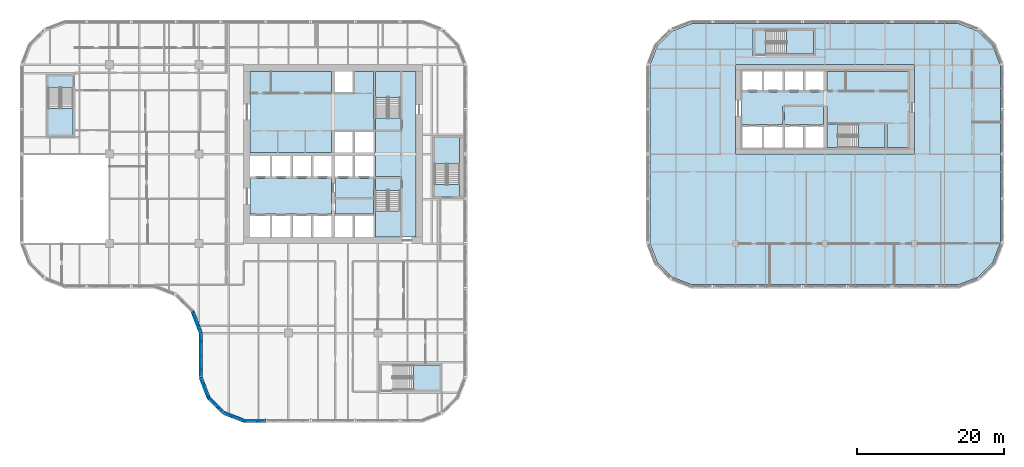
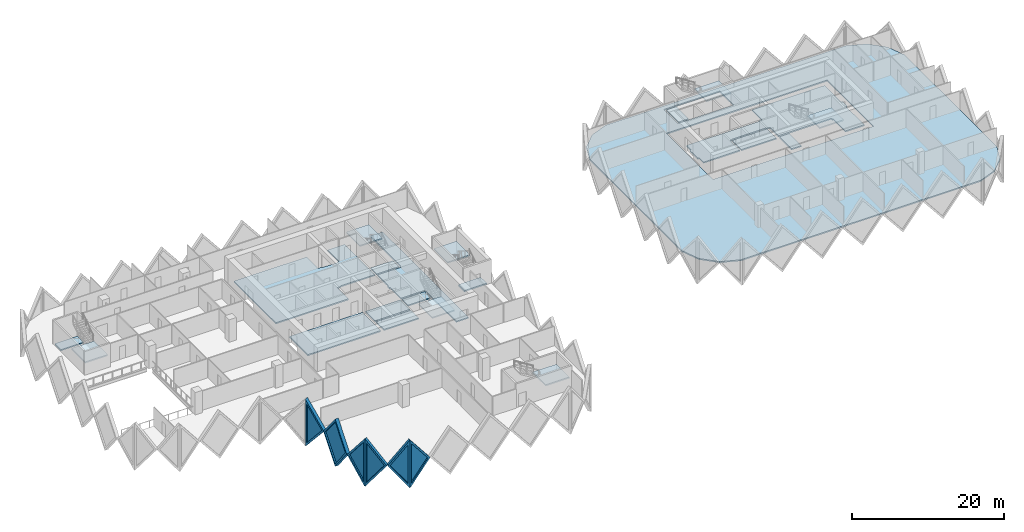
# One storey, part 3 of 18: 21 slabs, 6 plates, 6 walls, 6 openings, 7 elements without a shape of their own.
"""IFC4 building model written with IfcOpenShell, lengths in metres."""

from ifc_helpers import new_model, si_unit, direction, frame, origin, place, context, subcontext, project, spatial, polyline, outline, extrude, faceted_brep, source, transform, mapped, material, layer, layer_set, type_object, element, fill, aggregate, save


model = new_model("IFC4")

# Units and contexts
model_context = context("Model", 3, precision=1e-05, world=origin(), true_north=direction((0.0, 1.0)))
body_context = subcontext(model_context, "Body", "Model", "MODEL_VIEW")
ifc_project = project(units=[si_unit("LENGTHUNIT", "METRE"), si_unit("AREAUNIT", "SQUARE_METRE"), si_unit("VOLUMEUNIT", "CUBIC_METRE"), si_unit("PLANEANGLEUNIT", "RADIAN"), si_unit("MASSUNIT", "GRAM", prefix="KILO")], contexts=[model_context])

# Site, building, storey
site_placement = place(None, origin())
site = spatial("IfcSite", under=ifc_project, at=site_placement, CompositionType="ELEMENT")
building_placement = place(site_placement, origin())
building = spatial("IfcBuilding", under=site, at=building_placement, Name="Tessera Gate Towers", CompositionType="ELEMENT")
storey_placement = place(building_placement, frame((0.0, 0.0, 56.199951171875)))
storey = spatial("IfcBuildingStorey", under=building, at=storey_placement, Name="L13", CompositionType="ELEMENT", Elevation=56.199951171875)

# Slabs
ifc_material_1 = material(Name="Concrete C35/45", Category="concrete")
ifc_layer_1 = layer(ifc_material_1, 0.199951171875)
ifc_layer_set_1 = layer_set([ifc_layer_1], Name="COMPOSITE FLOOR 200")
slab_type_1 = type_object("IfcSlabType", Name="COMPOSITE FLOOR 200", PredefinedType="FLOOR", material=ifc_layer_set_1)
slab_1_placement = place(storey_placement, frame((0.0, 0.0, -0.199951171875)))
element("IfcSlab", 1, at=slab_1_placement, inside=storey, type_object=slab_type_1, Name="T2-L13", PredefinedType="FLOOR", context=body_context, shape_type="SweptSolid", body=[
    extrude(outline(polyline([(85.89990234375, 24.4931640625), (86.926025390625, 21.8330078125), (88.93310546875, 19.826171875), (91.593017578125, 18.800048828125), (128.0068359375, 18.800048828125), (130.6669921875, 19.826171875), (132.673828125, 21.8330078125), (133.699951171875, 24.4931640625), (133.699951171875, 48.706787109375), (132.673828125, 51.366943359375), (130.6669921875, 53.373779296875), (128.0068359375, 54.39990234375), (91.593017578125, 54.39990234375), (88.93310546875, 53.373779296875), (86.926025390625, 51.366943359375), (85.89990234375, 48.706787109375), (85.89990234375, 24.4931640625)]), holes=[polyline([(97.60009765625, 36.60009765625), (97.60009765625, 48.800048828125), (122.0, 48.800048828125), (122.0, 36.60009765625), (97.60009765625, 36.60009765625)]), polyline([(100.0, 50.0), (100.0, 53.699951171875), (108.5, 53.699951171875), (108.5, 50.0), (100.0, 50.0)])]), origin(), (0.0, 0.0, 1.0), 0.199951171875),
])
ifc_material_2 = material(Name="Concrete C35/45", Category="concrete")
ifc_layer_2 = layer(ifc_material_2, 0.199951171875)
ifc_layer_set_2 = layer_set([ifc_layer_2], Name="CORE FLOOR SLAB 200")
slab_type_2 = type_object("IfcSlabType", Name="CORE FLOOR SLAB 200", PredefinedType="FLOOR", material=ifc_layer_set_2)
slab_2_placement = place(storey_placement, frame((0.0, 0.0, -0.199951171875)))
element("IfcSlab", 2, at=slab_2_placement, inside=storey, type_object=slab_type_2, Name="L13 core floor slab", PredefinedType="FLOOR", context=body_context, shape_type="SweptSolid", body=[
    extrude(outline(polyline([(31.39990234375, 47.89990234375), (31.39990234375, 36.85009765625), (42.449951171875, 36.85009765625), (42.449951171875, 39.800048828125), (42.949951171875, 39.800048828125), (42.949951171875, 39.925048828125), (48.22509765625, 39.925048828125), (48.22509765625, 47.89990234375), (45.64990234375, 47.89990234375), (45.64990234375, 44.89990234375), (45.39990234375, 44.89990234375), (45.39990234375, 44.77490234375), (42.949951171875, 44.77490234375), (42.949951171875, 44.89990234375), (42.449951171875, 44.89990234375), (42.449951171875, 47.89990234375), (31.39990234375, 47.89990234375)])), origin(), (0.0, 0.0, 1.0), 0.199951171875),
])
slab_3_placement = place(storey_placement, frame((0.0, 0.0, -0.199951171875)))
element("IfcSlab", 3, at=slab_3_placement, inside=storey, type_object=slab_type_2, Name="L13 core floor slab", PredefinedType="FLOOR", context=body_context, shape_type="SweptSolid", body=[
    extrude(outline(polyline([(48.35009765625, 36.85009765625), (48.35009765625, 36.35009765625), (48.47509765625, 36.35009765625), (48.47509765625, 33.52490234375), (52.0, 33.52490234375), (52.0, 33.27490234375), (52.125, 33.27490234375), (52.125, 25.300048828125), (54.0, 25.300048828125), (54.0, 47.89990234375), (52.125, 47.89990234375), (52.125, 39.925048828125), (52.0, 39.925048828125), (52.0, 39.675048828125), (48.47509765625, 39.675048828125), (48.47509765625, 36.85009765625), (48.35009765625, 36.85009765625)])), origin(), (0.0, 0.0, 1.0), 0.199951171875),
])
slab_4_placement = place(storey_placement, frame((0.0, 0.0, -0.199951171875)))
element("IfcSlab", 4, at=slab_4_placement, inside=storey, type_object=slab_type_2, Name="L13 core floor slab", PredefinedType="FLOOR", context=body_context, shape_type="SweptSolid", body=[
    extrude(outline(polyline([(42.449951171875, 28.425048828125), (42.449951171875, 33.27490234375), (31.39990234375, 33.27490234375), (31.39990234375, 28.425048828125), (42.449951171875, 28.425048828125)])), origin(), (0.0, 0.0, 1.0), 0.199951171875),
])
slab_5_placement = place(storey_placement, frame((0.0, 0.0, -0.199951171875)))
element("IfcSlab", 5, at=slab_5_placement, inside=storey, type_object=slab_type_2, Name="L13 core floor slab", PredefinedType="FLOOR", context=body_context, shape_type="SweptSolid", body=[
    extrude(outline(polyline([(42.949951171875, 33.27490234375), (42.949951171875, 30.72509765625), (48.22509765625, 30.72509765625), (48.22509765625, 33.27490234375), (42.949951171875, 33.27490234375)])), origin(), (0.0, 0.0, 1.0), 0.199951171875),
])
slab_6_placement = place(storey_placement, frame((0.0, 0.0, -0.199951171875)))
element("IfcSlab", 6, at=slab_6_placement, inside=storey, type_object=slab_type_2, Name="L13 core floor slab", PredefinedType="FLOOR", context=body_context, shape_type="SweptSolid", body=[
    extrude(outline(polyline([(42.949951171875, 30.47509765625), (42.949951171875, 28.425048828125), (48.22509765625, 28.425048828125), (48.22509765625, 30.47509765625), (42.949951171875, 30.47509765625)])), origin(), (0.0, 0.0, 1.0), 0.199951171875),
])
slab_7_placement = place(storey_placement, frame((0.0, 0.0, -0.199951171875)))
element("IfcSlab", 7, at=slab_7_placement, inside=storey, type_object=slab_type_2, Name="L13 core floor slab", PredefinedType="FLOOR", context=body_context, shape_type="SweptSolid", body=[
    extrude(outline(polyline([(51.875, 31.675048828125), (51.875, 33.27490234375), (48.47509765625, 33.27490234375), (48.47509765625, 31.675048828125), (51.875, 31.675048828125)])), origin(), (0.0, 0.0, 1.0), 0.199951171875),
])
slab_8_placement = place(storey_placement, frame((0.0, 0.0, -0.199951171875)))
element("IfcSlab", 8, at=slab_8_placement, inside=storey, type_object=slab_type_2, Name="L13 core floor slab", PredefinedType="FLOOR", context=body_context, shape_type="SweptSolid", body=[
    extrude(outline(polyline([(48.47509765625, 41.52490234375), (48.47509765625, 39.925048828125), (51.875, 39.925048828125), (51.875, 41.52490234375), (48.47509765625, 41.52490234375)])), origin(), (0.0, 0.0, 1.0), 0.199951171875),
])
slab_9_placement = place(storey_placement, frame((0.0, 0.0, -0.199951171875)))
element("IfcSlab", 9, at=slab_9_placement, inside=storey, type_object=slab_type_2, Name="L13 ST3 floor landing", PredefinedType="FLOOR", context=body_context, shape_type="SweptSolid", body=[
    extrude(outline(polyline([(3.85009765625, 47.25), (3.85009765625, 45.64990234375), (7.25, 45.64990234375), (7.25, 47.25), (3.85009765625, 47.25)])), origin(), (0.0, 0.0, 1.0), 0.199951171875),
])
slab_10_placement = place(storey_placement, frame((0.0, 0.0, -0.199951171875)))
element("IfcSlab", 10, at=slab_10_placement, inside=storey, type_object=slab_type_2, Name="L13 ST5 floor landing", PredefinedType="FLOOR", context=body_context, shape_type="SweptSolid", body=[
    extrude(outline(polyline([(59.949951171875, 30.85009765625), (59.949951171875, 32.449951171875), (56.550048828125, 32.449951171875), (56.550048828125, 30.85009765625), (59.949951171875, 30.85009765625)])), origin(), (0.0, 0.0, 1.0), 0.199951171875),
])
slab_11_placement = place(storey_placement, frame((0.0, 0.0, -0.199951171875)))
element("IfcSlab", 11, at=slab_11_placement, inside=storey, type_object=slab_type_2, Name="L13 core floor slab", PredefinedType="FLOOR", context=body_context, shape_type="SweptSolid", body=[
    extrude(outline(polyline([(109.550048828125, 45.199951171875), (109.550048828125, 45.074951171875), (98.5, 45.074951171875), (98.5, 43.89990234375), (98.300048828125, 43.89990234375), (98.300048828125, 41.800048828125), (98.5, 41.800048828125), (98.5, 40.625), (104.02490234375, 40.625), (104.02490234375, 43.199951171875), (104.27490234375, 43.199951171875), (104.27490234375, 43.324951171875), (109.550048828125, 43.324951171875), (109.550048828125, 43.199951171875), (110.050048828125, 43.199951171875), (110.050048828125, 40.949951171875), (118.10009765625, 40.949951171875), (118.10009765625, 40.699951171875), (118.22509765625, 40.699951171875), (118.22509765625, 37.5), (121.10009765625, 37.5), (121.10009765625, 42.35009765625), (121.300048828125, 42.35009765625), (121.300048828125, 43.550048828125), (121.10009765625, 43.550048828125), (121.10009765625, 47.89990234375), (110.050048828125, 47.89990234375), (110.050048828125, 45.199951171875), (109.550048828125, 45.199951171875)])), origin(), (0.0, 0.0, 1.0), 0.199951171875),
])
slab_12_placement = place(storey_placement, frame((0.0, 0.0, -0.199951171875)))
element("IfcSlab", 12, at=slab_12_placement, inside=storey, type_object=slab_type_2, Name="L13 core floor slab", PredefinedType="FLOOR", context=body_context, shape_type="SweptSolid", body=[
    extrude(outline(polyline([(109.550048828125, 43.074951171875), (104.27490234375, 43.074951171875), (104.27490234375, 40.625), (109.550048828125, 40.625), (109.550048828125, 43.074951171875)])), origin(), (0.0, 0.0, 1.0), 0.199951171875),
])
slab_13_placement = place(storey_placement, frame((0.0, 0.0, -0.199951171875)))
element("IfcSlab", 13, at=slab_13_placement, inside=storey, type_object=slab_type_2, Name="L13 core floor slab", PredefinedType="FLOOR", context=body_context, shape_type="SweptSolid", body=[
    extrude(outline(polyline([(111.550048828125, 37.5), (111.550048828125, 40.699951171875), (110.050048828125, 40.699951171875), (110.050048828125, 37.5), (111.550048828125, 37.5)])), origin(), (0.0, 0.0, 1.0), 0.199951171875),
])
slab_14_placement = place(storey_placement, frame((0.0, 0.0, -0.199951171875)))
element("IfcSlab", 14, at=slab_14_placement, inside=storey, type_object=slab_type_2, Name="L13 ST7 floor landing", PredefinedType="FLOOR", context=body_context, shape_type="SweptSolid", body=[
    extrude(outline(polyline([(100.25, 50.25), (101.75, 50.25), (101.75, 53.449951171875), (100.25, 53.449951171875), (100.25, 50.25)])), origin(), (0.0, 0.0, 1.0), 0.199951171875),
])

# Stair, slab
ifc_material_3 = material(Name="Concrete C40/50", Category="concrete")
stair_type_1 = type_object("IfcStairType", Name="EXIT STAIR ST1 1600", PredefinedType="HALF_TURN_STAIR", material=ifc_material_3)
stair_1_placement = place(storey_placement, origin())
stair_1 = element("IfcStair", 15, at=stair_1_placement, inside=storey, type_object=stair_type_1, Name="L13 Protected Exit Stair ST1", PredefinedType="HALF_TURN_STAIR")
ifc_material_4 = material(Name="Concrete C40/50", Category="concrete")
ifc_layer_3 = layer(ifc_material_4, 0.199951171875)
ifc_layer_set_3 = layer_set([ifc_layer_3], Name="EXIT STAIR LANDING 200")
slab_type_3 = type_object("IfcSlabType", Name="EXIT STAIR LANDING 200", PredefinedType="LANDING", material=ifc_layer_set_3)
slab_15_placement = place(storey_placement, frame((0.0, 0.0, 1.699951171875)))
slab_15 = element("IfcSlab", 16, at=slab_15_placement, type_object=slab_type_3, Name="ST1 landing 1", PredefinedType="LANDING", context=body_context, shape_type="SweptSolid", body=[
    extrude(outline(polyline([(48.47509765625, 28.875), (48.47509765625, 25.300048828125), (51.875, 25.300048828125), (51.875, 28.875), (48.47509765625, 28.875)])), origin(), (0.0, 0.0, 1.0), 0.2001953125),
])
aggregate(stair_1, [slab_15])

ifc_material_5 = material(Name="Concrete C40/50", Category="concrete")
stair_type_2 = type_object("IfcStairType", Name="EXIT STAIR ST2 1600", PredefinedType="HALF_TURN_STAIR", material=ifc_material_5)
stair_2_placement = place(storey_placement, origin())
stair_2 = element("IfcStair", 17, at=stair_2_placement, inside=storey, type_object=stair_type_2, Name="L13 Protected Exit Stair ST2", PredefinedType="HALF_TURN_STAIR")
slab_16_placement = place(storey_placement, frame((0.0, 0.0, 1.699951171875)))
slab_16 = element("IfcSlab", 18, at=slab_16_placement, type_object=slab_type_3, Name="ST2 landing 1", PredefinedType="LANDING", context=body_context, shape_type="SweptSolid", body=[
    extrude(outline(polyline([(51.875, 44.324951171875), (51.875, 47.89990234375), (48.47509765625, 47.89990234375), (48.47509765625, 44.324951171875), (51.875, 44.324951171875)])), origin(), (0.0, 0.0, 1.0), 0.2001953125),
])
aggregate(stair_2, [slab_16])

ifc_material_6 = material(Name="Concrete C40/50", Category="concrete")
stair_type_3 = type_object("IfcStairType", Name="EXIT STAIR ST3 1600", PredefinedType="HALF_TURN_STAIR", material=ifc_material_6)
stair_3_placement = place(storey_placement, origin())
stair_3 = element("IfcStair", 19, at=stair_3_placement, inside=storey, type_object=stair_type_3, Name="L13 West Exit Stair ST3", PredefinedType="HALF_TURN_STAIR")
slab_17_placement = place(storey_placement, frame((0.0, 0.0, 1.699951171875)))
slab_17 = element("IfcSlab", 20, at=slab_17_placement, type_object=slab_type_3, Name="ST3 landing 1", PredefinedType="LANDING", context=body_context, shape_type="SweptSolid", body=[
    extrude(outline(polyline([(3.85009765625, 42.85009765625), (3.85009765625, 39.25), (7.25, 39.25), (7.25, 42.85009765625), (3.85009765625, 42.85009765625)])), origin(), (0.0, 0.0, 1.0), 0.2001953125),
])
aggregate(stair_3, [slab_17])

ifc_material_7 = material(Name="Concrete C40/50", Category="concrete")
stair_type_4 = type_object("IfcStairType", Name="EXIT STAIR ST4 1600", PredefinedType="HALF_TURN_STAIR", material=ifc_material_7)
stair_4_placement = place(storey_placement, origin())
stair_4 = element("IfcStair", 21, at=stair_4_placement, inside=storey, type_object=stair_type_4, Name="L13 South Exit Stair ST4", PredefinedType="HALF_TURN_STAIR")
slab_18_placement = place(storey_placement, frame((0.0, 0.0, 1.699951171875)))
slab_18 = element("IfcSlab", 22, at=slab_18_placement, type_object=slab_type_3, Name="ST4 landing 1", PredefinedType="LANDING", context=body_context, shape_type="SweptSolid", body=[
    extrude(outline(polyline([(53.64990234375, 4.449951171875), (57.25, 4.449951171875), (57.25, 7.85009765625), (53.64990234375, 7.85009765625), (53.64990234375, 4.449951171875)])), origin(), (0.0, 0.0, 1.0), 0.2001953125),
])
aggregate(stair_4, [slab_18])

ifc_material_8 = material(Name="Concrete C40/50", Category="concrete")
stair_type_5 = type_object("IfcStairType", Name="EXIT STAIR ST5 1600", PredefinedType="HALF_TURN_STAIR", material=ifc_material_8)
stair_5_placement = place(storey_placement, origin())
stair_5 = element("IfcStair", 23, at=stair_5_placement, inside=storey, type_object=stair_type_5, Name="L13 East Exit Stair ST5", PredefinedType="HALF_TURN_STAIR")
slab_19_placement = place(storey_placement, frame((0.0, 0.0, 1.699951171875)))
slab_19 = element("IfcSlab", 24, at=slab_19_placement, type_object=slab_type_3, Name="ST5 landing 1", PredefinedType="LANDING", context=body_context, shape_type="SweptSolid", body=[
    extrude(outline(polyline([(59.949951171875, 35.25), (59.949951171875, 38.85009765625), (56.550048828125, 38.85009765625), (56.550048828125, 35.25), (59.949951171875, 35.25)])), origin(), (0.0, 0.0, 1.0), 0.2001953125),
])
aggregate(stair_5, [slab_19])

ifc_material_9 = material(Name="Concrete C40/50", Category="concrete")
stair_type_6 = type_object("IfcStairType", Name="EXIT STAIR ST6 1500", PredefinedType="HALF_TURN_STAIR", material=ifc_material_9)
stair_6_placement = place(storey_placement, origin())
stair_6 = element("IfcStair", 25, at=stair_6_placement, inside=storey, type_object=stair_type_6, Name="L13 Protected Exit Stair ST6", PredefinedType="HALF_TURN_STAIR")
slab_20_placement = place(storey_placement, frame((0.0, 0.0, 1.699951171875)))
slab_20 = element("IfcSlab", 26, at=slab_20_placement, type_object=slab_type_3, Name="ST6 landing 1", PredefinedType="LANDING", context=body_context, shape_type="SweptSolid", body=[
    extrude(outline(polyline([(114.35009765625, 37.5), (117.97509765625, 37.5), (117.97509765625, 40.699951171875), (114.35009765625, 40.699951171875), (114.35009765625, 37.5)])), origin(), (0.0, 0.0, 1.0), 0.2001953125),
])
aggregate(stair_6, [slab_20])

ifc_material_10 = material(Name="Concrete C40/50", Category="concrete")
stair_type_7 = type_object("IfcStairType", Name="EXIT STAIR ST7 1500", PredefinedType="HALF_TURN_STAIR", material=ifc_material_10)
stair_7_placement = place(storey_placement, origin())
stair_7 = element("IfcStair", 27, at=stair_7_placement, inside=storey, type_object=stair_type_7, Name="L13 North Exit Stair ST7", PredefinedType="HALF_TURN_STAIR")
slab_21_placement = place(storey_placement, frame((0.0, 0.0, 1.699951171875)))
slab_21 = element("IfcSlab", 28, at=slab_21_placement, type_object=slab_type_3, Name="ST7 landing 1", PredefinedType="LANDING", context=body_context, shape_type="SweptSolid", body=[
    extrude(outline(polyline([(104.550048828125, 50.25), (108.25, 50.25), (108.25, 53.449951171875), (104.550048828125, 53.449951171875), (104.550048828125, 50.25)])), origin(), (0.0, 0.0, 1.0), 0.2001953125),
])
aggregate(stair_7, [slab_21])

# Wall, opening, plate
ifc_material_11 = material(Name="Precast concrete C60/75 white", Category="concrete")
ifc_layer_4 = layer(ifc_material_11, 0.5)
ifc_layer_set_4 = layer_set([ifc_layer_4], Name="TS3 corner tessera")
wall_type_1 = type_object("IfcWallType", Name="TS3 corner tessera", PredefinedType="SOLIDWALL", material=ifc_layer_set_4)
shared_shape_1 = source(origin(), body_context, "Body", "Brep", [
    faceted_brep([(2.950439453125, -0.25, 0.0), (3.00341796875, -0.25, 0.068359375), (3.00341796875, -0.25, 7.53173828125), (2.950439453125, -0.25, 7.60009765625), (0.0, -0.25, 3.800048828125), (0.046630859375, 0.25, 3.860107421875), (2.897705078125, 0.25, 7.531982421875), (2.897705078125, 0.25, 0.068115234375), (0.046630859375, 0.25, 3.739990234375), (2.950439453125, 0.00048828125, 0.0), (2.950439453125, 0.00048828125, 7.60009765625), (0.0, 0.0, 3.800048828125)], [[[0, 1, 2, 3, 4]], [[5, 6, 7, 8]], [[1, 0, 9]], [[10, 3, 2]], [[6, 5, 11, 4, 3, 10]], [[8, 7, 9, 0, 4, 11]], [[8, 11, 5]], [[1, 9, 7, 6, 10, 2]]]),
])
wall_1_placement = place(storey_placement, frame((24.64990234375, 6.146484375, -3.800048828125), z_axis=(0.0, 0.0, 1.0), x_axis=(0.359953949349, -0.932970071518, 0.0)))
wall_1 = element("IfcWall", 29, at=wall_1_placement, inside=storey, type_object=wall_type_1, Name="Precast corner tessera T1 TS3-0287", PredefinedType="SOLIDWALL", context=body_context, shape_type="MappedRepresentation", body=[
    mapped(shared_shape_1, transform((0.0, 0.0, 0.0), scale=1.0)),
])
shared_shape_2 = source(origin(), body_context, "Body", "SweptSolid", [
    extrude(outline(polyline([(2.75048828125, 6.934814453125), (0.31640625, 3.800048828125), (2.75048828125, 0.665283203125), (2.75048828125, 6.934814453125)])), frame((0.0, 0.260009765625, 0.0), z_axis=(0.0, -1.0, 0.0), x_axis=(1.0, 0.0, 0.0)), (0.0, 0.0, 1.0), 0.52001953125),
])
opening_1_placement = place(wall_1_placement, origin())
opening_1 = element("IfcOpeningElement", 30, at=opening_1_placement, cuts=wall_1, Name="Opening T1-PL2-0421", PredefinedType="OPENING", context=body_context, shape_type="MappedRepresentation", body=[
    mapped(shared_shape_2, transform((0.0, 0.0, 0.0), scale=1.0)),
])
ifc_material_12 = material(Name="Low-e laminated glass", Category="glass")
ifc_layer_5 = layer(ifc_material_12, 0.06005859375)
ifc_layer_set_5 = layer_set([ifc_layer_5], Name="PL2 rhombic pane")
plate_type = type_object("IfcPlateType", Name="PL2 rhombic pane", PredefinedType="SHEET", material=ifc_layer_set_5)
shared_shape_3 = source(origin(), body_context, "Body", "SweptSolid", [
    extrude(outline(polyline([(2.75048828125, 6.934814453125), (0.31640625, 3.800048828125), (2.75048828125, 0.665283203125), (2.75048828125, 6.934814453125)])), frame((0.0, 0.030029296875, 0.0), z_axis=(0.0, -1.0, 0.0), x_axis=(1.0, 0.0, 0.0)), (0.0, 0.0, 1.0), 0.06005859375),
])
plate_1_placement = place(opening_1_placement, origin())
plate_1 = element("IfcPlate", 31, at=plate_1_placement, inside=storey, type_object=plate_type, Name="Glass pane T1 PL2-0421", PredefinedType="SHEET", context=body_context, shape_type="MappedRepresentation", body=[
    mapped(shared_shape_3, transform((0.0, 0.0, 0.0), scale=1.0)),
])
fill(opening_1, plate_1)

shared_shape_4 = source(origin(), body_context, "Body", "Brep", [
    faceted_brep([(0.046630859375, -0.25, 0.0), (3.050048828125, -0.25, 3.800048828125), (0.046630859375, -0.25, 7.60009765625), (0.0, -0.25, 7.5400390625), (0.0, -0.25, 0.06005859375), (0.09326171875, 0.25, 7.541259765625), (3.050048828125, 0.25, 3.800048828125), (0.09326171875, 0.25, 0.058837890625), (0.046630859375, 0.0, 0.0), (0.046630859375, 0.0, 7.60009765625)], [[[0, 1, 2, 3, 4]], [[5, 6, 7]], [[7, 6, 1, 0, 8]], [[6, 5, 9, 2, 1]], [[3, 2, 9]], [[8, 0, 4]], [[7, 8, 4, 3, 9, 5]]]),
])
wall_2_placement = place(storey_placement, frame((30.5, 0.25, -3.800048828125), z_axis=(0.0, 0.0, 1.0), x_axis=(1.0, 0.0, 0.0)))
wall_2 = element("IfcWall", 32, at=wall_2_placement, inside=storey, type_object=wall_type_1, Name="Precast corner tessera T1 TS3-0265", PredefinedType="SOLIDWALL", context=body_context, shape_type="MappedRepresentation", body=[
    mapped(shared_shape_4, transform((0.0, 0.0, 0.0), scale=1.0)),
])
shared_shape_5 = source(origin(), body_context, "Body", "SweptSolid", [
    extrude(outline(polyline([(0.24658203125, 0.65625), (2.7314453125, 3.800048828125), (0.24658203125, 6.94384765625), (0.24658203125, 0.65625)])), frame((0.0, 0.260009765625, 0.0), z_axis=(0.0, -1.0, 0.0), x_axis=(1.0, 0.0, 0.0)), (0.0, 0.0, 1.0), 0.52001953125),
])
opening_2_placement = place(wall_2_placement, origin())
opening_2 = element("IfcOpeningElement", 33, at=opening_2_placement, cuts=wall_2, Name="Opening T1-PL2-0376", PredefinedType="OPENING", context=body_context, shape_type="MappedRepresentation", body=[
    mapped(shared_shape_5, transform((0.0, 0.0, 0.0), scale=1.0)),
])
shared_shape_6 = source(origin(), body_context, "Body", "SweptSolid", [
    extrude(outline(polyline([(0.24658203125, 0.65625), (2.7314453125, 3.800048828125), (0.24658203125, 6.94384765625), (0.24658203125, 0.65625)])), frame((0.0, 0.030029296875, 0.0), z_axis=(0.0, -1.0, 0.0), x_axis=(1.0, 0.0, 0.0)), (0.0, 0.0, 1.0), 0.06005859375),
])
plate_2_placement = place(opening_2_placement, origin())
plate_2 = element("IfcPlate", 34, at=plate_2_placement, inside=storey, type_object=plate_type, Name="Glass pane T1 PL2-0376", PredefinedType="SHEET", context=body_context, shape_type="MappedRepresentation", body=[
    mapped(shared_shape_6, transform((0.0, 0.0, 0.0), scale=1.0)),
])
fill(opening_2, plate_2)

shared_shape_7 = source(origin(), body_context, "Body", "Brep", [
    faceted_brep([(0.052978515625, -0.25, 0.0), (2.9970703125, -0.25, 3.800048828125), (0.052978515625, -0.25, 7.60009765625), (0.0, -0.25, 7.531982421875), (0.0, -0.25, 0.068115234375), (0.10595703125, 0.25, 7.53173828125), (2.944091796875, 0.25, 3.8681640625), (2.944091796875, 0.25, 3.73193359375), (0.10595703125, 0.25, 0.068359375), (2.9970703125, 0.000244140625, 3.800048828125), (0.052978515625, 0.0, 0.0), (0.052978515625, 0.0, 7.60009765625)], [[[0, 1, 2, 3, 4]], [[5, 6, 7, 8]], [[8, 7, 9, 1, 0, 10]], [[6, 5, 11, 2, 1, 9]], [[3, 2, 11]], [[10, 0, 4]], [[8, 10, 4, 3, 11, 5]], [[9, 7, 6]]]),
])
wall_3_placement = place(storey_placement, frame((25.674560546875, 3.43115234375, -3.800048828125), z_axis=(0.0, 0.0, 1.0), x_axis=(0.707106781187, -0.707106781187, 0.0)))
wall_3 = element("IfcWall", 35, at=wall_3_placement, inside=storey, type_object=wall_type_1, Name="Precast corner tessera T1 TS3-0288", PredefinedType="SOLIDWALL", context=body_context, shape_type="MappedRepresentation", body=[
    mapped(shared_shape_7, transform((0.0, 0.0, 0.0), scale=1.0)),
])
shared_shape_8 = source(origin(), body_context, "Body", "SweptSolid", [
    extrude(outline(polyline([(0.2529296875, 0.66650390625), (2.680908203125, 3.800048828125), (0.2529296875, 6.933837890625), (0.2529296875, 0.66650390625)])), frame((0.0, 0.260009765625, 0.0), z_axis=(0.0, -1.0, 0.0), x_axis=(1.0, 0.0, 0.0)), (0.0, 0.0, 1.0), 0.52001953125),
])
opening_3_placement = place(wall_3_placement, origin())
opening_3 = element("IfcOpeningElement", 36, at=opening_3_placement, cuts=wall_3, Name="Opening T1-PL2-0422", PredefinedType="OPENING", context=body_context, shape_type="MappedRepresentation", body=[
    mapped(shared_shape_8, transform((0.0, 0.0, 0.0), scale=1.0)),
])
shared_shape_9 = source(origin(), body_context, "Body", "SweptSolid", [
    extrude(outline(polyline([(0.2529296875, 0.66650390625), (2.680908203125, 3.800048828125), (0.2529296875, 6.933837890625), (0.2529296875, 0.66650390625)])), frame((0.0, 0.030029296875, 0.0), z_axis=(0.0, -1.0, 0.0), x_axis=(1.0, 0.0, 0.0)), (0.0, 0.0, 1.0), 0.06005859375),
])
plate_3_placement = place(opening_3_placement, origin())
plate_3 = element("IfcPlate", 37, at=plate_3_placement, inside=storey, type_object=plate_type, Name="Glass pane T1 PL2-0422", PredefinedType="SHEET", context=body_context, shape_type="MappedRepresentation", body=[
    mapped(shared_shape_9, transform((0.0, 0.0, 0.0), scale=1.0)),
])
fill(opening_3, plate_3)

shared_shape_10 = source(origin(), body_context, "Body", "Brep", [
    faceted_brep([(2.950439453125, -0.25, 0.0), (2.9970703125, -0.25, 0.05908203125), (2.9970703125, -0.25, 7.541015625), (2.950439453125, -0.25, 7.60009765625), (0.0, -0.25, 3.800048828125), (0.052978515625, 0.25, 3.8681640625), (2.904052734375, 0.25, 7.540283203125), (2.904052734375, 0.25, 0.059814453125), (0.052978515625, 0.25, 3.73193359375), (2.950439453125, 0.00048828125, 0.0), (2.950439453125, 0.00048828125, 7.60009765625), (0.0, 0.0, 3.800048828125)], [[[0, 1, 2, 3, 4]], [[5, 6, 7, 8]], [[1, 0, 9]], [[10, 3, 2]], [[6, 5, 11, 4, 3, 10]], [[8, 7, 9, 0, 4, 11]], [[8, 11, 5]], [[1, 9, 7, 6, 10, 2]]]),
])
wall_4_placement = place(storey_placement, frame((27.793701171875, 1.31201171875, -3.800048828125), z_axis=(0.0, 0.0, 1.0), x_axis=(0.932973525033, -0.359944998003, 0.0)))
wall_4 = element("IfcWall", 38, at=wall_4_placement, inside=storey, type_object=wall_type_1, Name="Precast corner tessera T1 TS3-0266", PredefinedType="SOLIDWALL", context=body_context, shape_type="MappedRepresentation", body=[
    mapped(shared_shape_10, transform((0.0, 0.0, 0.0), scale=1.0)),
])
opening_4_placement = place(wall_4_placement, origin())
opening_4 = element("IfcOpeningElement", 39, at=opening_4_placement, cuts=wall_4, Name="Opening T1-PL2-0377", PredefinedType="OPENING", context=body_context, shape_type="MappedRepresentation", body=[
    mapped(shared_shape_2, transform((0.0, 0.0, 0.0), scale=1.0)),
])
plate_4_placement = place(opening_4_placement, origin())
plate_4 = element("IfcPlate", 40, at=plate_4_placement, inside=storey, type_object=plate_type, Name="Glass pane T1 PL2-0377", PredefinedType="SHEET", context=body_context, shape_type="MappedRepresentation", body=[
    mapped(shared_shape_3, transform((0.0, 0.0, 0.0), scale=1.0)),
])
fill(opening_4, plate_4)

shared_shape_11 = source(origin(), body_context, "Body", "Brep", [
    faceted_brep([(0.10595703125, -0.25, 0.06396484375), (3.156005859375, -0.25, 3.743896484375), (3.156005859375, -0.25, 3.856201171875), (0.10595703125, -0.25, 7.5361328125), (0.0, 0.25, 7.536376953125), (0.052978515625, 0.25, 7.60009765625), (3.202392578125, 0.25, 3.800048828125), (0.052978515625, 0.25, 0.0), (0.0, 0.25, 0.063720703125), (3.202392578125, -0.000244140625, 3.800048828125), (0.052978515625, 0.0, 0.0), (0.052978515625, 0.0, 7.60009765625)], [[[0, 1, 2, 3]], [[4, 5, 6, 7, 8]], [[7, 6, 9, 1, 0, 10]], [[6, 5, 11, 3, 2, 9]], [[5, 4, 11]], [[8, 7, 10]], [[8, 10, 0, 3, 11, 4]], [[1, 9, 2]]]),
])
wall_5_placement = place(storey_placement, frame((23.497314453125, 15.234375, -3.800048828125), z_axis=(0.0, 0.0, 1.0), x_axis=(0.359913782069, -0.932985567668, 0.0)))
wall_5 = element("IfcWall", 41, at=wall_5_placement, inside=storey, type_object=wall_type_1, Name="Precast corner tessera T1 TS3-0286", PredefinedType="SOLIDWALL", context=body_context, shape_type="MappedRepresentation", body=[
    mapped(shared_shape_11, transform((0.0, 0.0, 0.0), scale=1.0)),
])
shared_shape_12 = source(origin(), body_context, "Body", "SweptSolid", [
    extrude(outline(polyline([(0.2529296875, 0.63330078125), (2.877685546875, 3.800048828125), (0.2529296875, 6.967041015625), (0.2529296875, 0.63330078125)])), frame((0.0, 0.260009765625, 0.0), z_axis=(0.0, -1.0, 0.0), x_axis=(1.0, 0.0, 0.0)), (0.0, 0.0, 1.0), 0.52001953125),
])
opening_5_placement = place(wall_5_placement, origin())
opening_5 = element("IfcOpeningElement", 42, at=opening_5_placement, cuts=wall_5, Name="Opening T1-PL2-0419", PredefinedType="OPENING", context=body_context, shape_type="MappedRepresentation", body=[
    mapped(shared_shape_12, transform((0.0, 0.0, 0.0), scale=1.0)),
])
shared_shape_13 = source(origin(), body_context, "Body", "SweptSolid", [
    extrude(outline(polyline([(0.2529296875, 0.63330078125), (2.877685546875, 3.800048828125), (0.2529296875, 6.967041015625), (0.2529296875, 0.63330078125)])), frame((0.0, 0.030029296875, 0.0), z_axis=(0.0, -1.0, 0.0), x_axis=(1.0, 0.0, 0.0)), (0.0, 0.0, 1.0), 0.06005859375),
])
plate_5_placement = place(opening_5_placement, origin())
plate_5 = element("IfcPlate", 43, at=plate_5_placement, inside=storey, type_object=plate_type, Name="Glass pane T1 PL2-0419", PredefinedType="SHEET", context=body_context, shape_type="MappedRepresentation", body=[
    mapped(shared_shape_13, transform((0.0, 0.0, 0.0), scale=1.0)),
])
fill(opening_5, plate_5)

ifc_material_13 = material(Name="Precast concrete C60/75 white", Category="concrete")
ifc_layer_6 = layer(ifc_material_13, 0.5)
ifc_layer_set_6 = layer_set([ifc_layer_6], Name="TS1 tessera")
wall_type_2 = type_object("IfcWallType", Name="TS1 tessera", PredefinedType="SOLIDWALL", material=ifc_layer_set_6)
shared_shape_14 = source(origin(), body_context, "Body", "Brep", [
    faceted_brep([(3.096435546875, -0.25, 0.0), (6.10009765625, -0.25, 3.800048828125), (3.096435546875, -0.25, 7.60009765625), (0.046630859375, -0.25, 3.857177734375), (0.046630859375, -0.25, 3.742919921875), (0.0, 0.25, 3.800048828125), (3.096435546875, 0.25, 7.60009765625), (6.053466796875, 0.25, 3.859130859375), (6.053466796875, 0.25, 3.740966796875), (3.096435546875, 0.25, 0.0), (6.10009765625, -0.00048828125, 3.800048828125), (0.0, 0.0, 3.800048828125)], [[[0, 1, 2, 3, 4]], [[5, 6, 7, 8, 9]], [[9, 8, 10, 1, 0]], [[7, 6, 2, 1, 10]], [[6, 5, 11, 3, 2]], [[5, 9, 0, 4, 11]], [[11, 4, 3]], [[10, 8, 7]]]),
])
wall_6_placement = place(storey_placement, frame((24.64990234375, 12.24658203125, -3.800048828125), z_axis=(0.0, 0.0, 1.0), x_axis=(0.0, -1.0, 0.0)))
wall_6 = element("IfcWall", 44, at=wall_6_placement, inside=storey, type_object=wall_type_2, Name="Precast tessera T1 TS1-0206", PredefinedType="SOLIDWALL", context=body_context, shape_type="MappedRepresentation", body=[
    mapped(shared_shape_14, transform((0.0, 0.0, 0.0), scale=1.0)),
])
shared_shape_15 = source(origin(), body_context, "Body", "SweptSolid", [
    extrude(outline(polyline([(3.093505859375, 0.3994140625), (5.78125, 3.800048828125), (3.093505859375, 7.20068359375), (0.322509765625, 3.800048828125), (3.093505859375, 0.3994140625)])), frame((0.0, 0.260009765625, 0.0), z_axis=(0.0, -1.0, 0.0), x_axis=(1.0, 0.0, 0.0)), (0.0, 0.0, 1.0), 0.52001953125),
])
opening_6_placement = place(wall_6_placement, origin())
opening_6 = element("IfcOpeningElement", 45, at=opening_6_placement, cuts=wall_6, Name="Opening T1-PL2-0420", PredefinedType="OPENING", context=body_context, shape_type="MappedRepresentation", body=[
    mapped(shared_shape_15, transform((0.0, 0.0, 0.0), scale=1.0)),
])
shared_shape_16 = source(origin(), body_context, "Body", "SweptSolid", [
    extrude(outline(polyline([(3.093505859375, 0.3994140625), (5.78125, 3.800048828125), (3.093505859375, 7.20068359375), (0.322509765625, 3.800048828125), (3.093505859375, 0.3994140625)])), frame((0.0, 0.030029296875, 0.0), z_axis=(0.0, -1.0, 0.0), x_axis=(1.0, 0.0, 0.0)), (0.0, 0.0, 1.0), 0.06005859375),
])
plate_6_placement = place(opening_6_placement, origin())
plate_6 = element("IfcPlate", 46, at=plate_6_placement, inside=storey, type_object=plate_type, Name="Glass pane T1 PL2-0420", PredefinedType="SHEET", context=body_context, shape_type="MappedRepresentation", body=[
    mapped(shared_shape_16, transform((0.0, 0.0, 0.0), scale=1.0)),
])
fill(opening_6, plate_6)

save(model, "model.ifc")
